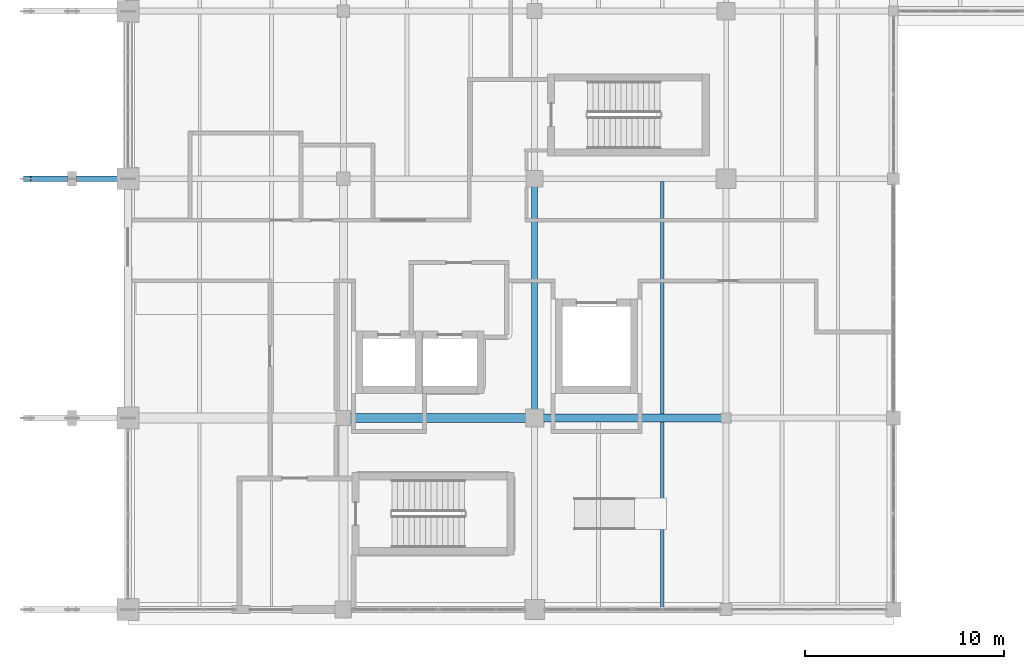
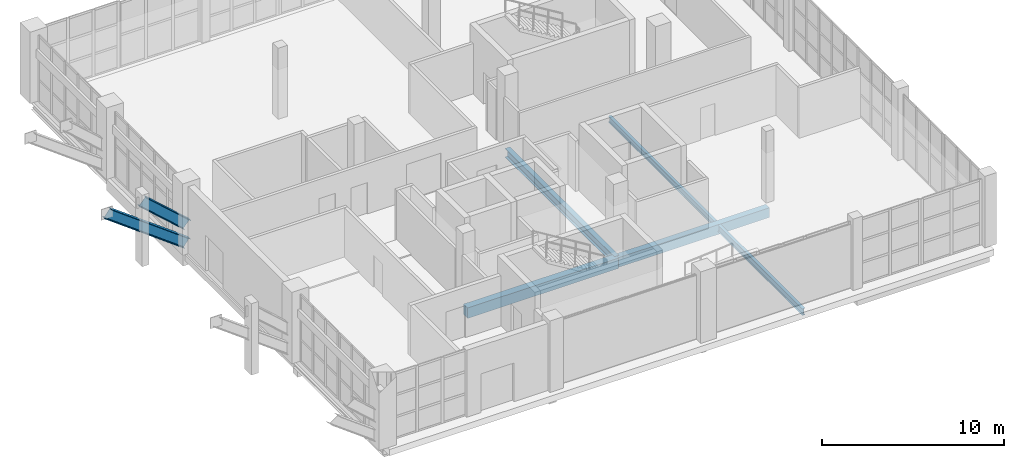
# One storey, part 6 of 121: 5 beams, 2 members.
"""IFC4 building model written with IfcOpenShell, lengths in metres."""

from ifc_helpers import new_model, si_unit, direction, frame, origin, origin_2d, place, context, subcontext, project, spatial, rectangle, i_section, extrude, material, material_profile, profile_set, type_object, element, save


model = new_model("IFC4")

# Units and contexts
model_context = context("Model", 3, precision=1e-05, world=origin(), true_north=direction((0.0, 1.0)))
body_context = subcontext(model_context, "Body", "Model", "MODEL_VIEW")
ifc_project = project(units=[si_unit("LENGTHUNIT", "METRE"), si_unit("AREAUNIT", "SQUARE_METRE"), si_unit("VOLUMEUNIT", "CUBIC_METRE"), si_unit("PLANEANGLEUNIT", "RADIAN"), si_unit("MASSUNIT", "GRAM", prefix="KILO")], contexts=[model_context])

# Site, building, storey
site_placement = place(None, origin())
site = spatial("IfcSite", under=ifc_project, at=site_placement, CompositionType="ELEMENT")
building_placement = place(site_placement, origin())
building = spatial("IfcBuilding", under=site, at=building_placement, Name="Zereglee Splitstone Museum", CompositionType="ELEMENT")
storey_placement = place(building_placement, origin())
storey = spatial("IfcBuildingStorey", under=building, at=storey_placement, Name="L00", CompositionType="ELEMENT", Elevation=0.0)

# Beams
ifc_material_1 = material(Name="Concrete C40/50", Category="concrete")
ifc_material_profile_1 = material_profile(ifc_material_1, rectangle(XDim=0.39990234375, YDim=0.64990234375, at=origin_2d()), Name="RC 400x650")
ifc_profile_set_1 = profile_set([ifc_material_profile_1], Name="Concrete C40/50")
beam_type_1 = type_object("IfcBeamType", Name="BG-04", PredefinedType="BEAM", material=ifc_profile_set_1)
beam_1_placement = place(storey_placement, frame((30.0, 9.60009765625, -0.7451171875), z_axis=(1.0, 0.0, 0.0), x_axis=(0.0, 1.0, 0.0)))
element("IfcBeam", 1, at=beam_1_placement, inside=storey, type_object=beam_type_1, Name="Primary Girder L00 B (30.0-39.6)", PredefinedType="BEAM", context=body_context, shape_type="SweptSolid", body=[
    extrude(rectangle(XDim=0.39990234375, YDim=0.64990234375, at=origin_2d()), origin(), (0.0, 0.0, 1.0), 9.60009765625),
])
ifc_material_profile_2 = material_profile(ifc_material_1, rectangle(XDim=0.449951171875, YDim=0.699951171875, at=origin_2d()), Name="RC 450x700")
ifc_profile_set_2 = profile_set([ifc_material_profile_2], Name="Concrete C40/50")
beam_type_2 = type_object("IfcBeamType", Name="BG-03", PredefinedType="BEAM", material=ifc_profile_set_2)
beam_2_placement = place(storey_placement, frame((20.39990234375, 9.60009765625, -0.77001953125), z_axis=(1.0, 0.0, 0.0), x_axis=(0.0, 1.0, 0.0)))
element("IfcBeam", 2, at=beam_2_placement, inside=storey, type_object=beam_type_2, Name="Primary Girder L00 B (20.4-30.0)", PredefinedType="BEAM", context=body_context, shape_type="SweptSolid", body=[
    extrude(rectangle(XDim=0.449951171875, YDim=0.699951171875, at=origin_2d()), origin(), (0.0, 0.0, 1.0), 9.60009765625),
])

# Members
ifc_material_2 = material(Name="Steel S355J2", Category="steel")
ifc_material_profile_3 = material_profile(ifc_material_2, i_section(OverallWidth=0.300048828125, OverallDepth=0.64990234375, WebThickness=0.01611328125, FlangeThickness=0.031005859375, FilletRadius=0.027099609375, at=origin_2d()), Name="HE 650 B")
ifc_profile_set_3 = profile_set([ifc_material_profile_3], Name="Steel S355J2")
member_type = type_object("IfcMemberType", Name="TB-09", PredefinedType="BRACE", material=ifc_profile_set_3)
member_1_placement = place(storey_placement, frame((9.60009765625, 21.60009765625, 0.35009765625), z_axis=(-0.802855312728, 0.0, 0.596173923302), x_axis=(0.0, -1.0, 0.0)))
element("IfcMember", 3, at=member_1_placement, inside=storey, type_object=member_type, Name="Exposed Cantilever Raking Soffit Strut CT-03 Outer", PredefinedType="BRACE", context=body_context, shape_type="SweptSolid", body=[
    extrude(i_section(OverallWidth=0.300048828125, OverallDepth=0.64990234375, WebThickness=0.01611328125, FlangeThickness=0.031005859375, FilletRadius=0.027099609375, at=origin_2d()), origin(), (0.0, 0.0, 1.0), 6.2900390625),
])
member_2_placement = place(storey_placement, frame((9.60009765625, 21.60009765625, 1.60009765625), z_axis=(-0.745943431645, 0.0, 0.666009306831), x_axis=(0.0, -1.0, 0.0)))
element("IfcMember", 4, at=member_2_placement, inside=storey, type_object=member_type, Name="Exposed Cantilever Raking Soffit Strut CT-03 Inner", PredefinedType="BRACE", context=body_context, shape_type="SweptSolid", body=[
    extrude(i_section(OverallWidth=0.300048828125, OverallDepth=0.64990234375, WebThickness=0.01611328125, FlangeThickness=0.031005859375, FilletRadius=0.027099609375, at=origin_2d()), origin(), (0.0, 0.0, 1.0), 3.753662109375),
])

# Beams
ifc_material_profile_4 = material_profile(ifc_material_2, i_section(OverallWidth=0.300048828125, OverallDepth=0.60009765625, WebThickness=0.015380859375, FlangeThickness=0.030029296875, FilletRadius=0.027099609375, at=origin_2d()), Name="HE 600 B")
ifc_profile_set_4 = profile_set([ifc_material_profile_4], Name="Steel S355J2")
beam_type_3 = type_object("IfcBeamType", Name="BG-10", PredefinedType="BEAM", material=ifc_profile_set_4)
beam_3_placement = place(storey_placement, frame((30.0, 9.60009765625, -0.719970703125), z_axis=(0.0, 1.0, 0.0), x_axis=(-1.0, 0.0, 0.0)))
element("IfcBeam", 5, at=beam_3_placement, inside=storey, type_object=beam_type_3, Name="Primary Girder L00 5 (9.6-21.6)", PredefinedType="BEAM", context=body_context, shape_type="SweptSolid", body=[
    extrude(i_section(OverallWidth=0.300048828125, OverallDepth=0.60009765625, WebThickness=0.015380859375, FlangeThickness=0.030029296875, FilletRadius=0.027099609375, at=origin_2d()), origin(), (0.0, 0.0, 1.0), 12.0),
])
ifc_material_profile_5 = material_profile(ifc_material_2, i_section(OverallWidth=0.179931640625, OverallDepth=0.39990234375, WebThickness=0.008544921875, FlangeThickness=0.013427734375, FilletRadius=0.02099609375, at=origin_2d()), Name="IPE 400")
ifc_profile_set_5 = profile_set([ifc_material_profile_5], Name="Steel S355J2")
beam_type_4 = type_object("IfcBeamType", Name="BJ-03", PredefinedType="JOIST", material=ifc_profile_set_5)
beam_4_placement = place(storey_placement, frame((36.39990234375, 9.800048828125, -0.6201171875), z_axis=(0.0, 1.0, 0.0), x_axis=(-1.0, 0.0, 0.0)))
element("IfcBeam", 6, at=beam_4_placement, inside=storey, type_object=beam_type_4, Name="Secondary Floor Joist L00-0275", PredefinedType="JOIST", context=body_context, shape_type="SweptSolid", body=[
    extrude(i_section(OverallWidth=0.179931640625, OverallDepth=0.39990234375, WebThickness=0.008544921875, FlangeThickness=0.013427734375, FilletRadius=0.02099609375, at=origin_2d()), origin(), (0.0, 0.0, 1.0), 11.64990234375),
])
ifc_material_profile_6 = material_profile(ifc_material_2, i_section(OverallWidth=0.18994140625, OverallDepth=0.449951171875, WebThickness=0.009521484375, FlangeThickness=0.0146484375, FilletRadius=0.02099609375, at=origin_2d()), Name="IPE 450")
ifc_profile_set_6 = profile_set([ifc_material_profile_6], Name="Steel S355J2")
beam_type_5 = type_object("IfcBeamType", Name="BJ-02", PredefinedType="JOIST", material=ifc_profile_set_6)
beam_5_placement = place(storey_placement, frame((36.39990234375, 0.10009765625, -0.64501953125), z_axis=(0.0, 1.0, 0.0), x_axis=(-1.0, 0.0, 0.0)))
element("IfcBeam", 7, at=beam_5_placement, inside=storey, type_object=beam_type_5, Name="Secondary Floor Joist L00-0260", PredefinedType="JOIST", context=body_context, shape_type="SweptSolid", body=[
    extrude(i_section(OverallWidth=0.18994140625, OverallDepth=0.449951171875, WebThickness=0.009521484375, FlangeThickness=0.0146484375, FilletRadius=0.02099609375, at=origin_2d()), origin(), (0.0, 0.0, 1.0), 9.2998046875),
])

save(model, "model.ifc")
